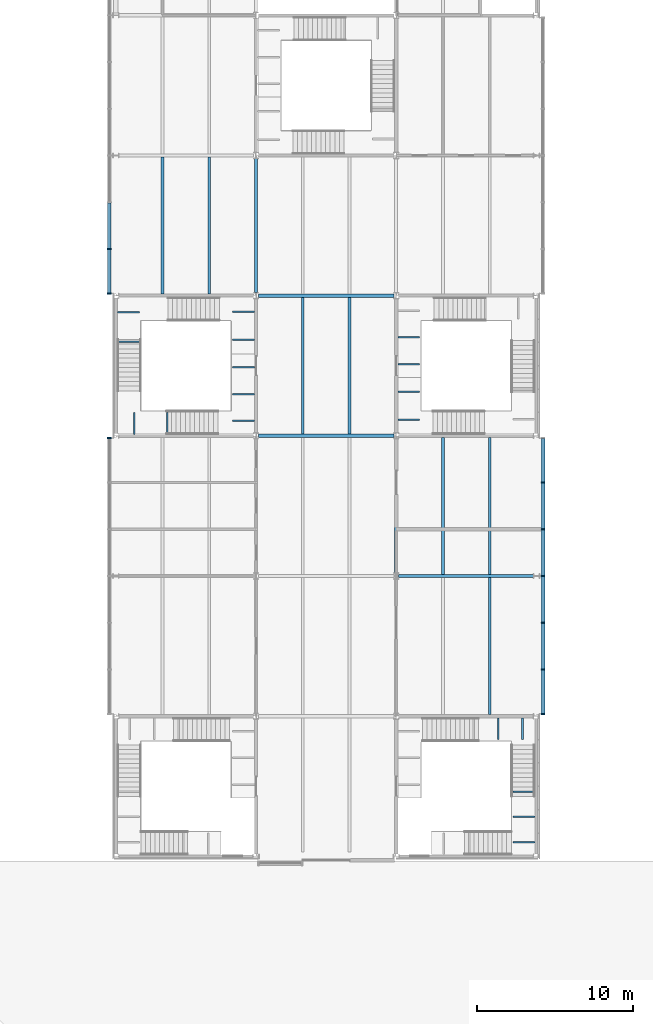
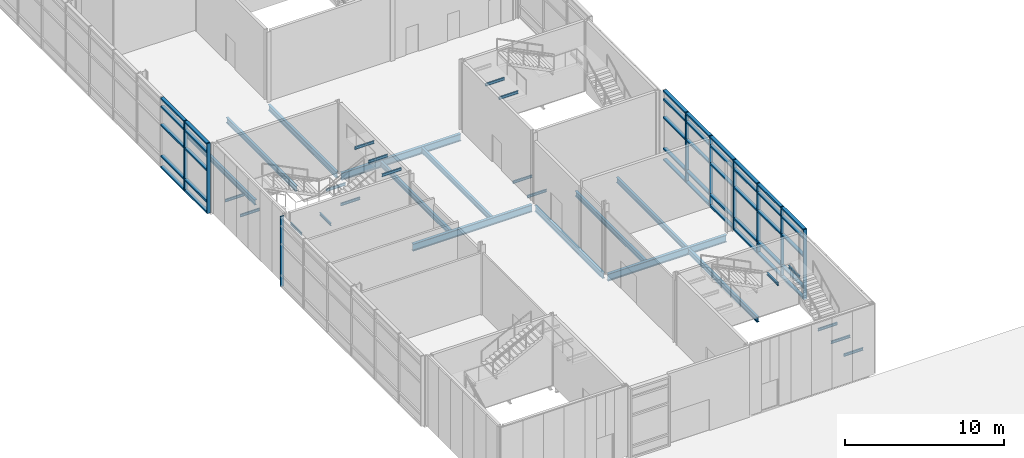
# One storey, part 9 of 56: 49 members, 30 beams, 3 elements without a shape of their own.
"""IFC4 building model written with IfcOpenShell, lengths in metres."""

from ifc_helpers import new_model, si_unit, direction, frame, origin, origin_2d, place, context, subcontext, project, spatial, rectangle, i_section, extrude, material, material_profile, profile_set, type_object, element, aggregate, save


model = new_model("IFC4")

# Units and contexts
model_context = context("Model", 3, precision=1e-05, world=origin(), true_north=direction((0.0, 1.0)))
body_context = subcontext(model_context, "Body", "Model", "MODEL_VIEW")
ifc_project = project(units=[si_unit("LENGTHUNIT", "METRE"), si_unit("AREAUNIT", "SQUARE_METRE"), si_unit("VOLUMEUNIT", "CUBIC_METRE"), si_unit("PLANEANGLEUNIT", "RADIAN"), si_unit("MASSUNIT", "GRAM", prefix="KILO")], contexts=[model_context])

# Site, building, storey
site_placement = place(None, origin())
site = spatial("IfcSite", under=ifc_project, at=site_placement, CompositionType="ELEMENT")
building_placement = place(site_placement, origin())
building = spatial("IfcBuilding", under=site, at=building_placement, Name="Azimuth Sports and Learning Centre", CompositionType="ELEMENT")
storey_placement = place(building_placement, frame((0.0, 0.0, 5.39990234375)))
storey = spatial("IfcBuildingStorey", under=building, at=storey_placement, Name="L01", CompositionType="ELEMENT", Elevation=5.39990234375)

# Beams
ifc_material_1 = material(Name="Steel S355", Category="steel")
ifc_material_profile_1 = material_profile(ifc_material_1, i_section(OverallWidth=0.10009765625, OverallDepth=0.199951171875, WebThickness=0.005615234375, FlangeThickness=0.008544921875, FilletRadius=0.011962890625, at=origin_2d()), Name="IPE 200")
ifc_profile_set_1 = profile_set([ifc_material_profile_1], Name="Steel S355")
beam_type_1 = type_object("IfcBeamType", Name="Beam IPE 200", PredefinedType="BEAM", material=ifc_profile_set_1)
for number, where, z_axis, x_axis, name in (
    (1, (98.89990234375, 0.918212890625, 1.35009765625), (-1.0, 0.0, 0.0), (0.0, -1.0, 0.0), "Landing bracket ST2 L01 1032"),
    (2, (98.89990234375, 2.534912109375, 1.35009765625), (-1.0, 0.0, 0.0), (0.0, -1.0, 0.0), "Landing bracket ST2 L01 1033"),
    (3, (98.89990234375, 4.151611328125, 1.35009765625), (-1.0, 0.0, 0.0), (0.0, -1.0, 0.0), "Landing bracket ST2 L01 1034"),
    (4, (96.5400390625, 8.89990234375, 3.150146484375), (0.0, -1.0, 0.0), (1.0, 0.0, 0.0), "Landing bracket ST2 L01 1036"),
    (5, (98.106689453125, 8.89990234375, 3.150146484375), (0.0, -1.0, 0.0), (1.0, 0.0, 0.0), "Landing bracket ST2 L01 1037"),
    (6, (80.89990234375, 33.159912109375, -0.2998046875), (-1.0, 0.0, 0.0), (0.0, -1.0, 0.0), "Landing bracket ST3 L01 1066"),
    (7, (80.89990234375, 34.97998046875, -0.2998046875), (-1.0, 0.0, 0.0), (0.0, -1.0, 0.0), "Landing bracket ST3 L01 1067"),
    (8, (72.10009765625, 33.0400390625, 1.5), (1.0, 0.0, 0.0), (0.0, 1.0, 0.0), "Landing bracket ST3 L01 1068"),
    (9, (72.10009765625, 34.93994140625, 1.5), (1.0, 0.0, 0.0), (0.0, 1.0, 0.0), "Landing bracket ST3 L01 1069"),
    (10, (73.172607421875, 27.10009765625, 3.300048828125), (0.0, 1.0, 0.0), (-1.0, 0.0, 0.0), "Landing bracket ST3 L01 1070"),
    (11, (75.297607421875, 27.10009765625, 3.300048828125), (0.0, 1.0, 0.0), (-1.0, 0.0, 0.0), "Landing bracket ST3 L01 1071"),
    (12, (80.89990234375, 27.966552734375, 5.10009765625), (-1.0, 0.0, 0.0), (0.0, -1.0, 0.0), "Landing bracket ST3 L01 1072"),
    (13, (80.89990234375, 29.679931640625, 5.10009765625), (-1.0, 0.0, 0.0), (0.0, -1.0, 0.0), "Landing bracket ST3 L01 1073"),
    (14, (80.89990234375, 31.393310546875, 5.10009765625), (-1.0, 0.0, 0.0), (0.0, -1.0, 0.0), "Landing bracket ST3 L01 1074"),
    (15, (90.10009765625, 28.02001953125, -0.2998046875), (1.0, 0.0, 0.0), (0.0, 1.0, 0.0), "Landing bracket ST4 L01 1100"),
    (16, (90.10009765625, 29.840087890625, -0.2998046875), (1.0, 0.0, 0.0), (0.0, 1.0, 0.0), "Landing bracket ST4 L01 1101"),
    (17, (90.10009765625, 31.606689453125, 5.10009765625), (1.0, 0.0, 0.0), (0.0, 1.0, 0.0), "Landing bracket ST4 L01 1106"),
    (18, (90.10009765625, 33.320068359375, 5.10009765625), (1.0, 0.0, 0.0), (0.0, 1.0, 0.0), "Landing bracket ST4 L01 1107"),
):
    element("IfcBeam", number, at=place(storey_placement, frame(where, z_axis=z_axis, x_axis=x_axis)), inside=storey, type_object=beam_type_1, Name=name, PredefinedType="BEAM", context=body_context, shape_type="SweptSolid", body=[
        extrude(i_section(OverallWidth=0.10009765625, OverallDepth=0.199951171875, WebThickness=0.005615234375, FlangeThickness=0.008544921875, FilletRadius=0.011962890625, at=origin_2d()), origin(), (0.0, 0.0, 1.0), 1.409912109375),
    ])
ifc_material_2 = material(Name="Steel S355", Category="steel")
ifc_material_profile_2 = material_profile(ifc_material_2, i_section(OverallWidth=0.18994140625, OverallDepth=0.449951171875, WebThickness=0.009521484375, FlangeThickness=0.0146484375, FilletRadius=0.02099609375, at=origin_2d()), Name="IPE 450")
ifc_profile_set_2 = profile_set([ifc_material_profile_2], Name="Steel S355")
beam_type_2 = type_object("IfcBeamType", Name="Beam IPE 450", PredefinedType="BEAM", material=ifc_profile_set_2)
for number, where, z_axis, x_axis, name in (
    (19, (81.0, 36.199951171875, -0.375), (0.0, 1.0, 0.0), (-1.0, 0.0, 0.0), "Beam L01 ST 26"),
    (20, (90.0, 18.199951171875, -0.375), (0.0, 1.0, 0.0), (-1.0, 0.0, 0.0), "Beam L01 ST 31"),
):
    element("IfcBeam", number, at=place(storey_placement, frame(where, z_axis=z_axis, x_axis=x_axis)), inside=storey, type_object=beam_type_2, Name=name, PredefinedType="BEAM", context=body_context, shape_type="SweptSolid", body=[
        extrude(i_section(OverallWidth=0.18994140625, OverallDepth=0.449951171875, WebThickness=0.009521484375, FlangeThickness=0.0146484375, FilletRadius=0.02099609375, at=origin_2d()), origin(), (0.0, 0.0, 1.0), 8.60009765625),
    ])
ifc_material_3 = material(Name="Steel S355", Category="steel")
ifc_material_profile_3 = material_profile(ifc_material_3, i_section(OverallWidth=0.2099609375, OverallDepth=0.550048828125, WebThickness=0.010986328125, FlangeThickness=0.01708984375, FilletRadius=0.02392578125, at=origin_2d()), Name="IPE 550")
ifc_profile_set_3 = profile_set([ifc_material_profile_3], Name="Steel S355")
beam_type_3 = type_object("IfcBeamType", Name="Beam IPE 550", PredefinedType="BEAM", material=ifc_profile_set_3)
beam_placement = place(storey_placement, frame((90.14990234375, 18.0, -0.4248046875), z_axis=(1.0, 0.0, 0.0), x_axis=(0.0, 1.0, 0.0)))
element("IfcBeam", 21, at=beam_placement, inside=storey, type_object=beam_type_3, Name="Beam L01 ST 4", PredefinedType="BEAM", context=body_context, shape_type="SweptSolid", body=[
    extrude(i_section(OverallWidth=0.2099609375, OverallDepth=0.550048828125, WebThickness=0.010986328125, FlangeThickness=0.01708984375, FilletRadius=0.02392578125, at=origin_2d()), origin(), (0.0, 0.0, 1.0), 8.650146484375),
])
for number, where, z_axis, x_axis, name in (
    (22, (81.14990234375, 27.0, -0.4248046875), (1.0, 0.0, 0.0), (0.0, 1.0, 0.0), "Beam L01 ST 5"),
    (23, (81.14990234375, 36.0, -0.4248046875), (1.0, 0.0, 0.0), (0.0, 1.0, 0.0), "Beam L01 ST 6"),
):
    element("IfcBeam", number, at=place(storey_placement, frame(where, z_axis=z_axis, x_axis=x_axis)), inside=storey, type_object=beam_type_3, Name=name, PredefinedType="BEAM", context=body_context, shape_type="SweptSolid", body=[
        extrude(i_section(OverallWidth=0.2099609375, OverallDepth=0.550048828125, WebThickness=0.010986328125, FlangeThickness=0.01708984375, FilletRadius=0.02392578125, at=origin_2d()), origin(), (0.0, 0.0, 1.0), 8.7001953125),
    ])
ifc_material_4 = material(Name="Steel S355", Category="steel")
ifc_material_profile_4 = material_profile(ifc_material_4, i_section(OverallWidth=0.179931640625, OverallDepth=0.39990234375, WebThickness=0.008544921875, FlangeThickness=0.013427734375, FilletRadius=0.02099609375, at=origin_2d()), Name="IPE 400")
ifc_profile_set_4 = profile_set([ifc_material_profile_4], Name="Steel S355")
beam_type_4 = type_object("IfcBeamType", Name="Joist IPE 400", PredefinedType="JOIST", material=ifc_profile_set_4)
for number, where, z_axis, x_axis, name in (
    (24, (75.0, 36.10009765625, -0.349853515625), (0.0, 1.0, 0.0), (-1.0, 0.0, 0.0), "Joist L01 ST 41"),
    (25, (78.0, 36.10009765625, -0.349853515625), (0.0, 1.0, 0.0), (-1.0, 0.0, 0.0), "Joist L01 ST 49"),
):
    element("IfcBeam", number, at=place(storey_placement, frame(where, z_axis=z_axis, x_axis=x_axis)), inside=storey, type_object=beam_type_4, Name=name, PredefinedType="JOIST", context=body_context, shape_type="SweptSolid", body=[
        extrude(i_section(OverallWidth=0.179931640625, OverallDepth=0.39990234375, WebThickness=0.008544921875, FlangeThickness=0.013427734375, FilletRadius=0.02099609375, at=origin_2d()), origin(), (0.0, 0.0, 1.0), 8.794921875),
    ])
for number, where, z_axis, x_axis, name in (
    (26, (84.0, 27.10498046875, -0.349853515625), (0.0, 1.0, 0.0), (-1.0, 0.0, 0.0), "Joist L01 ST 58"),
    (27, (87.0, 27.10498046875, -0.349853515625), (0.0, 1.0, 0.0), (-1.0, 0.0, 0.0), "Joist L01 ST 64"),
):
    element("IfcBeam", number, at=place(storey_placement, frame(where, z_axis=z_axis, x_axis=x_axis)), inside=storey, type_object=beam_type_4, Name=name, PredefinedType="JOIST", context=body_context, shape_type="SweptSolid", body=[
        extrude(i_section(OverallWidth=0.179931640625, OverallDepth=0.39990234375, WebThickness=0.008544921875, FlangeThickness=0.013427734375, FilletRadius=0.02099609375, at=origin_2d()), origin(), (0.0, 0.0, 1.0), 8.7900390625),
    ])
for number, where, z_axis, x_axis, name in (
    (28, (93.0, 18.10498046875, -0.349853515625), (0.0, 1.0, 0.0), (-1.0, 0.0, 0.0), "Joist L01 ST 68"),
    (29, (96.0, 9.10009765625, -0.349853515625), (0.0, 1.0, 0.0), (-1.0, 0.0, 0.0), "Joist L01 ST 75"),
    (30, (96.0, 18.10498046875, -0.349853515625), (0.0, 1.0, 0.0), (-1.0, 0.0, 0.0), "Joist L01 ST 76"),
):
    element("IfcBeam", number, at=place(storey_placement, frame(where, z_axis=z_axis, x_axis=x_axis)), inside=storey, type_object=beam_type_4, Name=name, PredefinedType="JOIST", context=body_context, shape_type="SweptSolid", body=[
        extrude(i_section(OverallWidth=0.179931640625, OverallDepth=0.39990234375, WebThickness=0.008544921875, FlangeThickness=0.013427734375, FilletRadius=0.02099609375, at=origin_2d()), origin(), (0.0, 0.0, 1.0), 8.794921875),
    ])

# Curtain wall, members
ifc_material_5 = material(Name="Aluminium and glass", Category="aluminium")
curtain_wall_type = type_object("IfcCurtainWallType", Name="Curtain wall podium stem 240", PredefinedType="NOTDEFINED", material=ifc_material_5)
curtain_wall_1_placement = place(storey_placement, origin())
curtain_wall_1 = element("IfcCurtainWall", 31, at=curtain_wall_1_placement, inside=storey, type_object=curtain_wall_type, Name="Curtain wall CW01-003", PredefinedType="NOTDEFINED")
ifc_material_6 = material(Name="Aluminium", Category="aluminium")
ifc_material_profile_5 = material_profile(ifc_material_6, rectangle(XDim=0.239990234375, YDim=0.080078125, at=origin_2d()), Name="Mullion 80x240")
ifc_profile_set_5 = profile_set([ifc_material_profile_5], Name="Aluminium")
member_type_1 = type_object("IfcMemberType", Name="Mullion 80x240", PredefinedType="MULLION", material=ifc_profile_set_5)
member_1_placement = place(storey_placement, frame((71.580078125, 39.0, 0.0), z_axis=(0.0, 0.0, 1.0), x_axis=(1.0, 0.0, 0.0)))
member_1 = element("IfcMember", 32, at=member_1_placement, type_object=member_type_1, Name="CW01-003 mullion 18", PredefinedType="MULLION", context=body_context, shape_type="SweptSolid", body=[
    extrude(rectangle(XDim=0.239990234375, YDim=0.080078125, at=origin_2d()), origin(), (0.0, 0.0, 1.0), 5.400146484375),
])
member_2_placement = place(storey_placement, frame((71.580078125, 36.139892578125, 0.0), z_axis=(0.0, 0.0, 1.0), x_axis=(1.0, 0.0, 0.0)))
member_2 = element("IfcMember", 33, at=member_2_placement, type_object=member_type_1, Name="CW01-003 mullion 19", PredefinedType="MULLION", context=body_context, shape_type="SweptSolid", body=[
    extrude(rectangle(XDim=0.239990234375, YDim=0.080078125, at=origin_2d()), origin(), (0.0, 0.0, 1.0), 5.400146484375),
])

# Curtain wall, member
curtain_wall_2_placement = place(storey_placement, origin())
curtain_wall_2 = element("IfcCurtainWall", 34, at=curtain_wall_2_placement, inside=storey, type_object=curtain_wall_type, Name="Curtain wall CW01-004", PredefinedType="NOTDEFINED")
member_3_placement = place(storey_placement, frame((71.580078125, 26.860107421875, 0.0), z_axis=(0.0, 0.0, 1.0), x_axis=(1.0, 0.0, 0.0)))
member_3 = element("IfcMember", 35, at=member_3_placement, type_object=member_type_1, Name="CW01-004 mullion 1", PredefinedType="MULLION", context=body_context, shape_type="SweptSolid", body=[
    extrude(rectangle(XDim=0.239990234375, YDim=0.080078125, at=origin_2d()), origin(), (0.0, 0.0, 1.0), 5.400146484375),
])
aggregate(curtain_wall_2, [member_3])

# Curtain wall, members
curtain_wall_3_placement = place(storey_placement, origin())
curtain_wall_3 = element("IfcCurtainWall", 36, at=curtain_wall_3_placement, inside=storey, type_object=curtain_wall_type, Name="Curtain wall CW01-006", PredefinedType="NOTDEFINED")
member_4_placement = place(storey_placement, frame((99.419921875, 9.139892578125, 0.0), z_axis=(0.0, 0.0, 1.0), x_axis=(-1.0, 0.0, 0.0)))
member_4 = element("IfcMember", 37, at=member_4_placement, type_object=member_type_1, Name="CW01-006 mullion 1", PredefinedType="MULLION", context=body_context, shape_type="SweptSolid", body=[
    extrude(rectangle(XDim=0.239990234375, YDim=0.080078125, at=origin_2d()), origin(), (0.0, 0.0, 1.0), 5.400146484375),
])
member_5_placement = place(storey_placement, frame((99.419921875, 12.0, 0.0), z_axis=(0.0, 0.0, 1.0), x_axis=(-1.0, 0.0, 0.0)))
member_5 = element("IfcMember", 38, at=member_5_placement, type_object=member_type_1, Name="CW01-006 mullion 2", PredefinedType="MULLION", context=body_context, shape_type="SweptSolid", body=[
    extrude(rectangle(XDim=0.239990234375, YDim=0.080078125, at=origin_2d()), origin(), (0.0, 0.0, 1.0), 5.400146484375),
])
member_6_placement = place(storey_placement, frame((99.419921875, 15.0, 0.0), z_axis=(0.0, 0.0, 1.0), x_axis=(-1.0, 0.0, 0.0)))
member_6 = element("IfcMember", 39, at=member_6_placement, type_object=member_type_1, Name="CW01-006 mullion 3", PredefinedType="MULLION", context=body_context, shape_type="SweptSolid", body=[
    extrude(rectangle(XDim=0.239990234375, YDim=0.080078125, at=origin_2d()), origin(), (0.0, 0.0, 1.0), 5.400146484375),
])
member_7_placement = place(storey_placement, frame((99.419921875, 18.0, 0.0), z_axis=(0.0, 0.0, 1.0), x_axis=(-1.0, 0.0, 0.0)))
member_7 = element("IfcMember", 40, at=member_7_placement, type_object=member_type_1, Name="CW01-006 mullion 4", PredefinedType="MULLION", context=body_context, shape_type="SweptSolid", body=[
    extrude(rectangle(XDim=0.239990234375, YDim=0.080078125, at=origin_2d()), origin(), (0.0, 0.0, 1.0), 5.400146484375),
])
member_8_placement = place(storey_placement, frame((99.419921875, 21.0, 0.0), z_axis=(0.0, 0.0, 1.0), x_axis=(-1.0, 0.0, 0.0)))
member_8 = element("IfcMember", 41, at=member_8_placement, type_object=member_type_1, Name="CW01-006 mullion 5", PredefinedType="MULLION", context=body_context, shape_type="SweptSolid", body=[
    extrude(rectangle(XDim=0.239990234375, YDim=0.080078125, at=origin_2d()), origin(), (0.0, 0.0, 1.0), 5.400146484375),
])
member_9_placement = place(storey_placement, frame((99.419921875, 24.0, 0.0), z_axis=(0.0, 0.0, 1.0), x_axis=(-1.0, 0.0, 0.0)))
member_9 = element("IfcMember", 42, at=member_9_placement, type_object=member_type_1, Name="CW01-006 mullion 6", PredefinedType="MULLION", context=body_context, shape_type="SweptSolid", body=[
    extrude(rectangle(XDim=0.239990234375, YDim=0.080078125, at=origin_2d()), origin(), (0.0, 0.0, 1.0), 5.400146484375),
])

# Member
ifc_material_7 = material(Name="Aluminium", Category="aluminium")
ifc_material_profile_6 = material_profile(ifc_material_7, rectangle(XDim=0.239990234375, YDim=0.1201171875, at=origin_2d()), Name="Transom 120x240")
ifc_profile_set_6 = profile_set([ifc_material_profile_6], Name="Aluminium")
member_type_2 = type_object("IfcMemberType", Name="Transom 120x240", PredefinedType="USERDEFINED", material=ifc_profile_set_6)
member_10_placement = place(storey_placement, frame((71.580078125, 41.9599609375, 0.06005859375), z_axis=(0.0, -1.0, 0.0), x_axis=(1.0, 0.0, 0.0)))
member_10 = element("IfcMember", 43, at=member_10_placement, type_object=member_type_2, Name="CW01-003 transom 17.1", ObjectType="TRANSOM", PredefinedType="USERDEFINED", context=body_context, shape_type="SweptSolid", body=[
    extrude(rectangle(XDim=0.239990234375, YDim=0.1201171875, at=origin_2d()), origin(), (0.0, 0.0, 1.0), 2.919921875),
])

member_11_placement = place(storey_placement, frame((71.580078125, 41.9599609375, 0.900146484375), z_axis=(0.0, -1.0, 0.0), x_axis=(1.0, 0.0, 0.0)))
member_11 = element("IfcMember", 44, at=member_11_placement, type_object=member_type_2, Name="CW01-003 transom 17.2", ObjectType="TRANSOM", PredefinedType="USERDEFINED", context=body_context, shape_type="SweptSolid", body=[
    extrude(rectangle(XDim=0.239990234375, YDim=0.1201171875, at=origin_2d()), origin(), (0.0, 0.0, 1.0), 2.919921875),
])

member_12_placement = place(storey_placement, frame((71.580078125, 41.9599609375, 3.300048828125), z_axis=(0.0, -1.0, 0.0), x_axis=(1.0, 0.0, 0.0)))
member_12 = element("IfcMember", 45, at=member_12_placement, type_object=member_type_2, Name="CW01-003 transom 17.3", ObjectType="TRANSOM", PredefinedType="USERDEFINED", context=body_context, shape_type="SweptSolid", body=[
    extrude(rectangle(XDim=0.239990234375, YDim=0.1201171875, at=origin_2d()), origin(), (0.0, 0.0, 1.0), 2.919921875),
])

member_13_placement = place(storey_placement, frame((71.580078125, 41.9599609375, 4.7001953125), z_axis=(0.0, -1.0, 0.0), x_axis=(1.0, 0.0, 0.0)))
member_13 = element("IfcMember", 46, at=member_13_placement, type_object=member_type_2, Name="CW01-003 transom 17.4", ObjectType="TRANSOM", PredefinedType="USERDEFINED", context=body_context, shape_type="SweptSolid", body=[
    extrude(rectangle(XDim=0.239990234375, YDim=0.1201171875, at=origin_2d()), origin(), (0.0, 0.0, 1.0), 2.919921875),
])

member_14_placement = place(storey_placement, frame((71.580078125, 41.9599609375, 5.340087890625), z_axis=(0.0, -1.0, 0.0), x_axis=(1.0, 0.0, 0.0)))
member_14 = element("IfcMember", 47, at=member_14_placement, type_object=member_type_2, Name="CW01-003 transom 17.5", ObjectType="TRANSOM", PredefinedType="USERDEFINED", context=body_context, shape_type="SweptSolid", body=[
    extrude(rectangle(XDim=0.239990234375, YDim=0.1201171875, at=origin_2d()), origin(), (0.0, 0.0, 1.0), 2.919921875),
])

member_15_placement = place(storey_placement, frame((71.580078125, 38.9599609375, 0.06005859375), z_axis=(0.0, -1.0, 0.0), x_axis=(1.0, 0.0, 0.0)))
member_15 = element("IfcMember", 48, at=member_15_placement, type_object=member_type_2, Name="CW01-003 transom 18.1", ObjectType="TRANSOM", PredefinedType="USERDEFINED", context=body_context, shape_type="SweptSolid", body=[
    extrude(rectangle(XDim=0.239990234375, YDim=0.1201171875, at=origin_2d()), origin(), (0.0, 0.0, 1.0), 2.780029296875),
])

member_16_placement = place(storey_placement, frame((71.580078125, 38.9599609375, 0.900146484375), z_axis=(0.0, -1.0, 0.0), x_axis=(1.0, 0.0, 0.0)))
member_16 = element("IfcMember", 49, at=member_16_placement, type_object=member_type_2, Name="CW01-003 transom 18.2", ObjectType="TRANSOM", PredefinedType="USERDEFINED", context=body_context, shape_type="SweptSolid", body=[
    extrude(rectangle(XDim=0.239990234375, YDim=0.1201171875, at=origin_2d()), origin(), (0.0, 0.0, 1.0), 2.780029296875),
])

member_17_placement = place(storey_placement, frame((71.580078125, 38.9599609375, 3.300048828125), z_axis=(0.0, -1.0, 0.0), x_axis=(1.0, 0.0, 0.0)))
member_17 = element("IfcMember", 50, at=member_17_placement, type_object=member_type_2, Name="CW01-003 transom 18.3", ObjectType="TRANSOM", PredefinedType="USERDEFINED", context=body_context, shape_type="SweptSolid", body=[
    extrude(rectangle(XDim=0.239990234375, YDim=0.1201171875, at=origin_2d()), origin(), (0.0, 0.0, 1.0), 2.780029296875),
])

member_18_placement = place(storey_placement, frame((71.580078125, 38.9599609375, 4.7001953125), z_axis=(0.0, -1.0, 0.0), x_axis=(1.0, 0.0, 0.0)))
member_18 = element("IfcMember", 51, at=member_18_placement, type_object=member_type_2, Name="CW01-003 transom 18.4", ObjectType="TRANSOM", PredefinedType="USERDEFINED", context=body_context, shape_type="SweptSolid", body=[
    extrude(rectangle(XDim=0.239990234375, YDim=0.1201171875, at=origin_2d()), origin(), (0.0, 0.0, 1.0), 2.780029296875),
])

member_19_placement = place(storey_placement, frame((71.580078125, 38.9599609375, 5.340087890625), z_axis=(0.0, -1.0, 0.0), x_axis=(1.0, 0.0, 0.0)))
member_19 = element("IfcMember", 52, at=member_19_placement, type_object=member_type_2, Name="CW01-003 transom 18.5", ObjectType="TRANSOM", PredefinedType="USERDEFINED", context=body_context, shape_type="SweptSolid", body=[
    extrude(rectangle(XDim=0.239990234375, YDim=0.1201171875, at=origin_2d()), origin(), (0.0, 0.0, 1.0), 2.780029296875),
])

aggregate(curtain_wall_1, [member_1, member_2, member_10, member_11, member_12, member_13, member_14, member_15, member_16, member_17, member_18, member_19])

member_20_placement = place(storey_placement, frame((99.419921875, 9.179931640625, 0.06005859375), z_axis=(0.0, 1.0, 0.0), x_axis=(-1.0, 0.0, 0.0)))
member_20 = element("IfcMember", 53, at=member_20_placement, type_object=member_type_2, Name="CW01-006 transom 1.1", ObjectType="TRANSOM", PredefinedType="USERDEFINED", context=body_context, shape_type="SweptSolid", body=[
    extrude(rectangle(XDim=0.239990234375, YDim=0.1201171875, at=origin_2d()), origin(), (0.0, 0.0, 1.0), 2.780029296875),
])

member_21_placement = place(storey_placement, frame((99.419921875, 9.179931640625, 0.900146484375), z_axis=(0.0, 1.0, 0.0), x_axis=(-1.0, 0.0, 0.0)))
member_21 = element("IfcMember", 54, at=member_21_placement, type_object=member_type_2, Name="CW01-006 transom 1.2", ObjectType="TRANSOM", PredefinedType="USERDEFINED", context=body_context, shape_type="SweptSolid", body=[
    extrude(rectangle(XDim=0.239990234375, YDim=0.1201171875, at=origin_2d()), origin(), (0.0, 0.0, 1.0), 2.780029296875),
])

member_22_placement = place(storey_placement, frame((99.419921875, 9.179931640625, 3.300048828125), z_axis=(0.0, 1.0, 0.0), x_axis=(-1.0, 0.0, 0.0)))
member_22 = element("IfcMember", 55, at=member_22_placement, type_object=member_type_2, Name="CW01-006 transom 1.3", ObjectType="TRANSOM", PredefinedType="USERDEFINED", context=body_context, shape_type="SweptSolid", body=[
    extrude(rectangle(XDim=0.239990234375, YDim=0.1201171875, at=origin_2d()), origin(), (0.0, 0.0, 1.0), 2.780029296875),
])

member_23_placement = place(storey_placement, frame((99.419921875, 9.179931640625, 4.7001953125), z_axis=(0.0, 1.0, 0.0), x_axis=(-1.0, 0.0, 0.0)))
member_23 = element("IfcMember", 56, at=member_23_placement, type_object=member_type_2, Name="CW01-006 transom 1.4", ObjectType="TRANSOM", PredefinedType="USERDEFINED", context=body_context, shape_type="SweptSolid", body=[
    extrude(rectangle(XDim=0.239990234375, YDim=0.1201171875, at=origin_2d()), origin(), (0.0, 0.0, 1.0), 2.780029296875),
])

member_24_placement = place(storey_placement, frame((99.419921875, 9.179931640625, 5.340087890625), z_axis=(0.0, 1.0, 0.0), x_axis=(-1.0, 0.0, 0.0)))
member_24 = element("IfcMember", 57, at=member_24_placement, type_object=member_type_2, Name="CW01-006 transom 1.5", ObjectType="TRANSOM", PredefinedType="USERDEFINED", context=body_context, shape_type="SweptSolid", body=[
    extrude(rectangle(XDim=0.239990234375, YDim=0.1201171875, at=origin_2d()), origin(), (0.0, 0.0, 1.0), 2.780029296875),
])

member_25_placement = place(storey_placement, frame((99.419921875, 12.0400390625, 0.06005859375), z_axis=(0.0, 1.0, 0.0), x_axis=(-1.0, 0.0, 0.0)))
member_25 = element("IfcMember", 58, at=member_25_placement, type_object=member_type_2, Name="CW01-006 transom 2.1", ObjectType="TRANSOM", PredefinedType="USERDEFINED", context=body_context, shape_type="SweptSolid", body=[
    extrude(rectangle(XDim=0.239990234375, YDim=0.1201171875, at=origin_2d()), origin(), (0.0, 0.0, 1.0), 2.919921875),
])

member_26_placement = place(storey_placement, frame((99.419921875, 12.0400390625, 0.900146484375), z_axis=(0.0, 1.0, 0.0), x_axis=(-1.0, 0.0, 0.0)))
member_26 = element("IfcMember", 59, at=member_26_placement, type_object=member_type_2, Name="CW01-006 transom 2.2", ObjectType="TRANSOM", PredefinedType="USERDEFINED", context=body_context, shape_type="SweptSolid", body=[
    extrude(rectangle(XDim=0.239990234375, YDim=0.1201171875, at=origin_2d()), origin(), (0.0, 0.0, 1.0), 2.919921875),
])

member_27_placement = place(storey_placement, frame((99.419921875, 12.0400390625, 3.300048828125), z_axis=(0.0, 1.0, 0.0), x_axis=(-1.0, 0.0, 0.0)))
member_27 = element("IfcMember", 60, at=member_27_placement, type_object=member_type_2, Name="CW01-006 transom 2.3", ObjectType="TRANSOM", PredefinedType="USERDEFINED", context=body_context, shape_type="SweptSolid", body=[
    extrude(rectangle(XDim=0.239990234375, YDim=0.1201171875, at=origin_2d()), origin(), (0.0, 0.0, 1.0), 2.919921875),
])

member_28_placement = place(storey_placement, frame((99.419921875, 12.0400390625, 4.7001953125), z_axis=(0.0, 1.0, 0.0), x_axis=(-1.0, 0.0, 0.0)))
member_28 = element("IfcMember", 61, at=member_28_placement, type_object=member_type_2, Name="CW01-006 transom 2.4", ObjectType="TRANSOM", PredefinedType="USERDEFINED", context=body_context, shape_type="SweptSolid", body=[
    extrude(rectangle(XDim=0.239990234375, YDim=0.1201171875, at=origin_2d()), origin(), (0.0, 0.0, 1.0), 2.919921875),
])

member_29_placement = place(storey_placement, frame((99.419921875, 12.0400390625, 5.340087890625), z_axis=(0.0, 1.0, 0.0), x_axis=(-1.0, 0.0, 0.0)))
member_29 = element("IfcMember", 62, at=member_29_placement, type_object=member_type_2, Name="CW01-006 transom 2.5", ObjectType="TRANSOM", PredefinedType="USERDEFINED", context=body_context, shape_type="SweptSolid", body=[
    extrude(rectangle(XDim=0.239990234375, YDim=0.1201171875, at=origin_2d()), origin(), (0.0, 0.0, 1.0), 2.919921875),
])

member_30_placement = place(storey_placement, frame((99.419921875, 15.0400390625, 0.06005859375), z_axis=(0.0, 1.0, 0.0), x_axis=(-1.0, 0.0, 0.0)))
member_30 = element("IfcMember", 63, at=member_30_placement, type_object=member_type_2, Name="CW01-006 transom 3.1", ObjectType="TRANSOM", PredefinedType="USERDEFINED", context=body_context, shape_type="SweptSolid", body=[
    extrude(rectangle(XDim=0.239990234375, YDim=0.1201171875, at=origin_2d()), origin(), (0.0, 0.0, 1.0), 2.919921875),
])

member_31_placement = place(storey_placement, frame((99.419921875, 15.0400390625, 0.900146484375), z_axis=(0.0, 1.0, 0.0), x_axis=(-1.0, 0.0, 0.0)))
member_31 = element("IfcMember", 64, at=member_31_placement, type_object=member_type_2, Name="CW01-006 transom 3.2", ObjectType="TRANSOM", PredefinedType="USERDEFINED", context=body_context, shape_type="SweptSolid", body=[
    extrude(rectangle(XDim=0.239990234375, YDim=0.1201171875, at=origin_2d()), origin(), (0.0, 0.0, 1.0), 2.919921875),
])

member_32_placement = place(storey_placement, frame((99.419921875, 15.0400390625, 3.300048828125), z_axis=(0.0, 1.0, 0.0), x_axis=(-1.0, 0.0, 0.0)))
member_32 = element("IfcMember", 65, at=member_32_placement, type_object=member_type_2, Name="CW01-006 transom 3.3", ObjectType="TRANSOM", PredefinedType="USERDEFINED", context=body_context, shape_type="SweptSolid", body=[
    extrude(rectangle(XDim=0.239990234375, YDim=0.1201171875, at=origin_2d()), origin(), (0.0, 0.0, 1.0), 2.919921875),
])

member_33_placement = place(storey_placement, frame((99.419921875, 15.0400390625, 4.7001953125), z_axis=(0.0, 1.0, 0.0), x_axis=(-1.0, 0.0, 0.0)))
member_33 = element("IfcMember", 66, at=member_33_placement, type_object=member_type_2, Name="CW01-006 transom 3.4", ObjectType="TRANSOM", PredefinedType="USERDEFINED", context=body_context, shape_type="SweptSolid", body=[
    extrude(rectangle(XDim=0.239990234375, YDim=0.1201171875, at=origin_2d()), origin(), (0.0, 0.0, 1.0), 2.919921875),
])

member_34_placement = place(storey_placement, frame((99.419921875, 15.0400390625, 5.340087890625), z_axis=(0.0, 1.0, 0.0), x_axis=(-1.0, 0.0, 0.0)))
member_34 = element("IfcMember", 67, at=member_34_placement, type_object=member_type_2, Name="CW01-006 transom 3.5", ObjectType="TRANSOM", PredefinedType="USERDEFINED", context=body_context, shape_type="SweptSolid", body=[
    extrude(rectangle(XDim=0.239990234375, YDim=0.1201171875, at=origin_2d()), origin(), (0.0, 0.0, 1.0), 2.919921875),
])

member_35_placement = place(storey_placement, frame((99.419921875, 18.0400390625, 0.06005859375), z_axis=(0.0, 1.0, 0.0), x_axis=(-1.0, 0.0, 0.0)))
member_35 = element("IfcMember", 68, at=member_35_placement, type_object=member_type_2, Name="CW01-006 transom 4.1", ObjectType="TRANSOM", PredefinedType="USERDEFINED", context=body_context, shape_type="SweptSolid", body=[
    extrude(rectangle(XDim=0.239990234375, YDim=0.1201171875, at=origin_2d()), origin(), (0.0, 0.0, 1.0), 2.919921875),
])

member_36_placement = place(storey_placement, frame((99.419921875, 18.0400390625, 0.900146484375), z_axis=(0.0, 1.0, 0.0), x_axis=(-1.0, 0.0, 0.0)))
member_36 = element("IfcMember", 69, at=member_36_placement, type_object=member_type_2, Name="CW01-006 transom 4.2", ObjectType="TRANSOM", PredefinedType="USERDEFINED", context=body_context, shape_type="SweptSolid", body=[
    extrude(rectangle(XDim=0.239990234375, YDim=0.1201171875, at=origin_2d()), origin(), (0.0, 0.0, 1.0), 2.919921875),
])

member_37_placement = place(storey_placement, frame((99.419921875, 18.0400390625, 3.300048828125), z_axis=(0.0, 1.0, 0.0), x_axis=(-1.0, 0.0, 0.0)))
member_37 = element("IfcMember", 70, at=member_37_placement, type_object=member_type_2, Name="CW01-006 transom 4.3", ObjectType="TRANSOM", PredefinedType="USERDEFINED", context=body_context, shape_type="SweptSolid", body=[
    extrude(rectangle(XDim=0.239990234375, YDim=0.1201171875, at=origin_2d()), origin(), (0.0, 0.0, 1.0), 2.919921875),
])

member_38_placement = place(storey_placement, frame((99.419921875, 18.0400390625, 4.7001953125), z_axis=(0.0, 1.0, 0.0), x_axis=(-1.0, 0.0, 0.0)))
member_38 = element("IfcMember", 71, at=member_38_placement, type_object=member_type_2, Name="CW01-006 transom 4.4", ObjectType="TRANSOM", PredefinedType="USERDEFINED", context=body_context, shape_type="SweptSolid", body=[
    extrude(rectangle(XDim=0.239990234375, YDim=0.1201171875, at=origin_2d()), origin(), (0.0, 0.0, 1.0), 2.919921875),
])

member_39_placement = place(storey_placement, frame((99.419921875, 18.0400390625, 5.340087890625), z_axis=(0.0, 1.0, 0.0), x_axis=(-1.0, 0.0, 0.0)))
member_39 = element("IfcMember", 72, at=member_39_placement, type_object=member_type_2, Name="CW01-006 transom 4.5", ObjectType="TRANSOM", PredefinedType="USERDEFINED", context=body_context, shape_type="SweptSolid", body=[
    extrude(rectangle(XDim=0.239990234375, YDim=0.1201171875, at=origin_2d()), origin(), (0.0, 0.0, 1.0), 2.919921875),
])

member_40_placement = place(storey_placement, frame((99.419921875, 21.0400390625, 0.06005859375), z_axis=(0.0, 1.0, 0.0), x_axis=(-1.0, 0.0, 0.0)))
member_40 = element("IfcMember", 73, at=member_40_placement, type_object=member_type_2, Name="CW01-006 transom 5.1", ObjectType="TRANSOM", PredefinedType="USERDEFINED", context=body_context, shape_type="SweptSolid", body=[
    extrude(rectangle(XDim=0.239990234375, YDim=0.1201171875, at=origin_2d()), origin(), (0.0, 0.0, 1.0), 2.919921875),
])

member_41_placement = place(storey_placement, frame((99.419921875, 21.0400390625, 0.900146484375), z_axis=(0.0, 1.0, 0.0), x_axis=(-1.0, 0.0, 0.0)))
member_41 = element("IfcMember", 74, at=member_41_placement, type_object=member_type_2, Name="CW01-006 transom 5.2", ObjectType="TRANSOM", PredefinedType="USERDEFINED", context=body_context, shape_type="SweptSolid", body=[
    extrude(rectangle(XDim=0.239990234375, YDim=0.1201171875, at=origin_2d()), origin(), (0.0, 0.0, 1.0), 2.919921875),
])

member_42_placement = place(storey_placement, frame((99.419921875, 21.0400390625, 3.300048828125), z_axis=(0.0, 1.0, 0.0), x_axis=(-1.0, 0.0, 0.0)))
member_42 = element("IfcMember", 75, at=member_42_placement, type_object=member_type_2, Name="CW01-006 transom 5.3", ObjectType="TRANSOM", PredefinedType="USERDEFINED", context=body_context, shape_type="SweptSolid", body=[
    extrude(rectangle(XDim=0.239990234375, YDim=0.1201171875, at=origin_2d()), origin(), (0.0, 0.0, 1.0), 2.919921875),
])

member_43_placement = place(storey_placement, frame((99.419921875, 21.0400390625, 4.7001953125), z_axis=(0.0, 1.0, 0.0), x_axis=(-1.0, 0.0, 0.0)))
member_43 = element("IfcMember", 76, at=member_43_placement, type_object=member_type_2, Name="CW01-006 transom 5.4", ObjectType="TRANSOM", PredefinedType="USERDEFINED", context=body_context, shape_type="SweptSolid", body=[
    extrude(rectangle(XDim=0.239990234375, YDim=0.1201171875, at=origin_2d()), origin(), (0.0, 0.0, 1.0), 2.919921875),
])

member_44_placement = place(storey_placement, frame((99.419921875, 21.0400390625, 5.340087890625), z_axis=(0.0, 1.0, 0.0), x_axis=(-1.0, 0.0, 0.0)))
member_44 = element("IfcMember", 77, at=member_44_placement, type_object=member_type_2, Name="CW01-006 transom 5.5", ObjectType="TRANSOM", PredefinedType="USERDEFINED", context=body_context, shape_type="SweptSolid", body=[
    extrude(rectangle(XDim=0.239990234375, YDim=0.1201171875, at=origin_2d()), origin(), (0.0, 0.0, 1.0), 2.919921875),
])

member_45_placement = place(storey_placement, frame((99.419921875, 24.0400390625, 0.06005859375), z_axis=(0.0, 1.0, 0.0), x_axis=(-1.0, 0.0, 0.0)))
member_45 = element("IfcMember", 78, at=member_45_placement, type_object=member_type_2, Name="CW01-006 transom 6.1", ObjectType="TRANSOM", PredefinedType="USERDEFINED", context=body_context, shape_type="SweptSolid", body=[
    extrude(rectangle(XDim=0.239990234375, YDim=0.1201171875, at=origin_2d()), origin(), (0.0, 0.0, 1.0), 2.780029296875),
])

member_46_placement = place(storey_placement, frame((99.419921875, 24.0400390625, 0.900146484375), z_axis=(0.0, 1.0, 0.0), x_axis=(-1.0, 0.0, 0.0)))
member_46 = element("IfcMember", 79, at=member_46_placement, type_object=member_type_2, Name="CW01-006 transom 6.2", ObjectType="TRANSOM", PredefinedType="USERDEFINED", context=body_context, shape_type="SweptSolid", body=[
    extrude(rectangle(XDim=0.239990234375, YDim=0.1201171875, at=origin_2d()), origin(), (0.0, 0.0, 1.0), 2.780029296875),
])

member_47_placement = place(storey_placement, frame((99.419921875, 24.0400390625, 3.300048828125), z_axis=(0.0, 1.0, 0.0), x_axis=(-1.0, 0.0, 0.0)))
member_47 = element("IfcMember", 80, at=member_47_placement, type_object=member_type_2, Name="CW01-006 transom 6.3", ObjectType="TRANSOM", PredefinedType="USERDEFINED", context=body_context, shape_type="SweptSolid", body=[
    extrude(rectangle(XDim=0.239990234375, YDim=0.1201171875, at=origin_2d()), origin(), (0.0, 0.0, 1.0), 2.780029296875),
])

member_48_placement = place(storey_placement, frame((99.419921875, 24.0400390625, 4.7001953125), z_axis=(0.0, 1.0, 0.0), x_axis=(-1.0, 0.0, 0.0)))
member_48 = element("IfcMember", 81, at=member_48_placement, type_object=member_type_2, Name="CW01-006 transom 6.4", ObjectType="TRANSOM", PredefinedType="USERDEFINED", context=body_context, shape_type="SweptSolid", body=[
    extrude(rectangle(XDim=0.239990234375, YDim=0.1201171875, at=origin_2d()), origin(), (0.0, 0.0, 1.0), 2.780029296875),
])

member_49_placement = place(storey_placement, frame((99.419921875, 24.0400390625, 5.340087890625), z_axis=(0.0, 1.0, 0.0), x_axis=(-1.0, 0.0, 0.0)))
member_49 = element("IfcMember", 82, at=member_49_placement, type_object=member_type_2, Name="CW01-006 transom 6.5", ObjectType="TRANSOM", PredefinedType="USERDEFINED", context=body_context, shape_type="SweptSolid", body=[
    extrude(rectangle(XDim=0.239990234375, YDim=0.1201171875, at=origin_2d()), origin(), (0.0, 0.0, 1.0), 2.780029296875),
])

aggregate(curtain_wall_3, [member_4, member_5, member_6, member_7, member_8, member_9, member_20, member_21, member_22, member_23, member_24, member_25, member_26, member_27, member_28, member_29, member_30, member_31, member_32, member_33, member_34, member_35, member_36, member_37, member_38, member_39, member_40, member_41, member_42, member_43, member_44, member_45, member_46, member_47, member_48, member_49])

save(model, "model.ifc")
